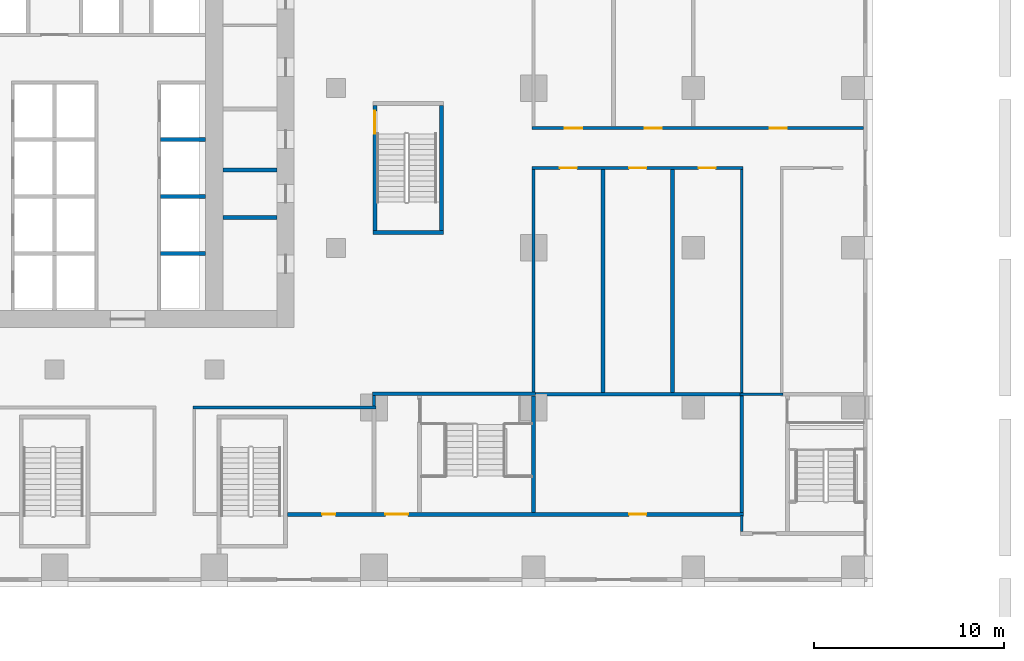
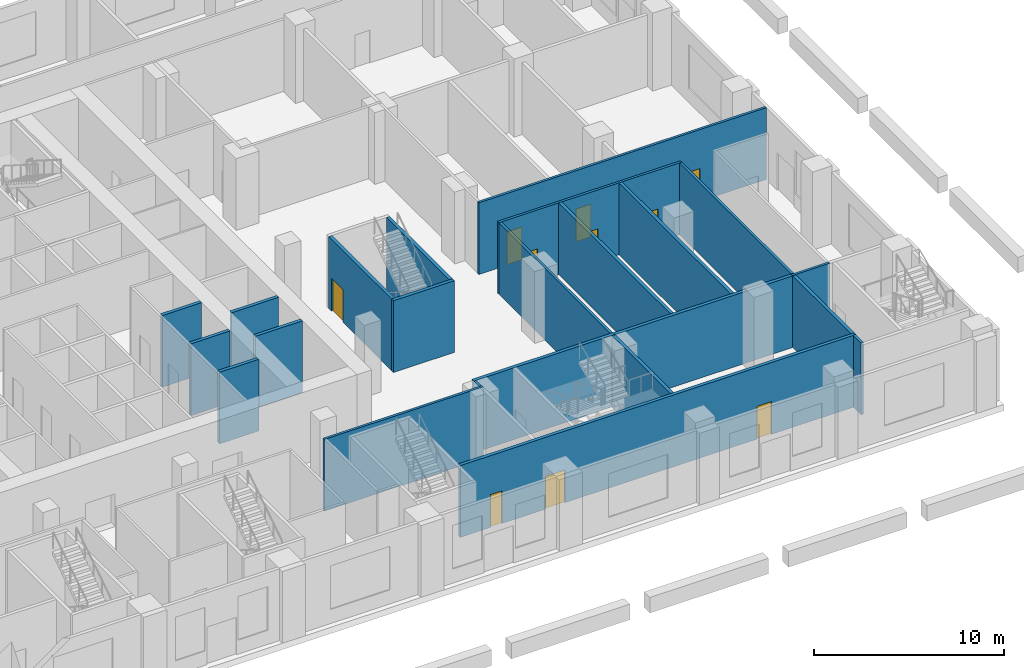
# One storey, part 5 of 21: 23 walls, 10 doors, 10 openings.
"""IFC4 building model written with IfcOpenShell, lengths in metres."""

from ifc_helpers import new_model, si_unit, direction, frame, frame_2d, origin, place, context, subcontext, project, spatial, rectangle, extrude, material, layer, layer_set, type_object, element, fill, save


model = new_model("IFC4")

# Units and contexts
model_context = context("Model", 3, precision=1e-05, world=origin(), true_north=direction((0.0, 1.0)))
body_context = subcontext(model_context, "Body", "Model", "MODEL_VIEW")
ifc_project = project(units=[si_unit("LENGTHUNIT", "METRE"), si_unit("AREAUNIT", "SQUARE_METRE"), si_unit("VOLUMEUNIT", "CUBIC_METRE"), si_unit("PLANEANGLEUNIT", "RADIAN"), si_unit("MASSUNIT", "GRAM", prefix="KILO")], contexts=[model_context])

# Site, building, storey
site_placement = place(None, origin())
site = spatial("IfcSite", under=ifc_project, at=site_placement, CompositionType="ELEMENT")
building_placement = place(site_placement, origin())
building = spatial("IfcBuilding", under=site, at=building_placement, Name="Vermilion Ogive Tower", CompositionType="ELEMENT")
storey_placement = place(building_placement, frame((0.0, 0.0, 25.0)))
storey = spatial("IfcBuildingStorey", under=building, at=storey_placement, Name="L04", CompositionType="ELEMENT", Elevation=25.0)

# Walls
ifc_material_1 = material(Name="Gypsum board partition on steel studs", Category="steel")
ifc_layer_1 = layer(ifc_material_1, 0.14990234375)
ifc_layer_set_1 = layer_set([ifc_layer_1], Name="Partition 150 corridor")
wall_type_1 = type_object("IfcWallType", Name="Partition 150 corridor", PredefinedType="PARTITIONING", material=ifc_layer_set_1)
wall_1_placement = place(storey_placement, frame((7.27490234375, -12.60009765625, 0.0), z_axis=(0.0, 0.0, 1.0), x_axis=(1.0, 0.0, 0.0)))
element("IfcWall", 1, at=wall_1_placement, inside=storey, type_object=wall_type_1, Name="L04-FS-W-W010", PredefinedType="PARTITIONING", context=body_context, shape_type="SweptSolid", body=[
    extrude(rectangle(XDim=9.625, YDim=0.14990234375, at=frame_2d((4.8125, 0.0))), origin(), (0.0, 0.0, 1.0), 4.60009765625),
])
wall_2_placement = place(storey_placement, frame((36.050048828125, -11.89990234375, 0.0), z_axis=(0.0, 0.0, 1.0), x_axis=(1.0, 0.0, 0.0)))
element("IfcWall", 2, at=wall_2_placement, inside=storey, type_object=wall_type_1, Name="L04-FS-W-W014", PredefinedType="PARTITIONING", context=body_context, shape_type="SweptSolid", body=[
    extrude(rectangle(XDim=2.27490234375, YDim=0.14990234375, at=frame_2d((1.137451171875, 0.0))), origin(), (0.0, 0.0, 1.0), 4.60009765625),
])

# Wall, openings, doors
wall_3_placement = place(storey_placement, frame((25.125, 0.0, 0.0), z_axis=(0.0, 0.0, 1.0), x_axis=(1.0, 0.0, 0.0)))
wall_3 = element("IfcWall", 3, at=wall_3_placement, inside=storey, type_object=wall_type_1, Name="L04-FS-W-W016", PredefinedType="PARTITIONING", context=body_context, shape_type="SweptSolid", body=[
    extrude(rectangle(XDim=11.10009765625, YDim=0.14990234375, at=frame_2d((5.550048828125, 0.0))), origin(), (0.0, 0.0, 1.0), 4.60009765625),
])
opening_1_placement = place(wall_3_placement, frame((1.449951171875, 0.0, 0.0)))
opening_1 = element("IfcOpeningElement", 4, at=opening_1_placement, cuts=wall_3, Name="Opening L04S021", PredefinedType="OPENING", context=body_context, shape_type="SweptSolid", body=[
    extrude(rectangle(XDim=0.89990234375, YDim=2.10009765625, at=frame_2d((0.449951171875, 1.050048828125))), frame((0.0, 0.0849609375, 0.0), z_axis=(0.0, -1.0, 0.0), x_axis=(1.0, 0.0, 0.0)), (0.0, 0.0, 1.0), 0.169921875),
])
opening_2_placement = place(wall_3_placement, frame((5.10009765625, 0.0, 0.0)))
opening_2 = element("IfcOpeningElement", 5, at=opening_2_placement, cuts=wall_3, Name="Opening L04S022", PredefinedType="OPENING", context=body_context, shape_type="SweptSolid", body=[
    extrude(rectangle(XDim=0.89990234375, YDim=2.10009765625, at=frame_2d((0.449951171875, 1.050048828125))), frame((0.0, 0.0849609375, 0.0), z_axis=(0.0, -1.0, 0.0), x_axis=(1.0, 0.0, 0.0)), (0.0, 0.0, 1.0), 0.169921875),
])
opening_3_placement = place(wall_3_placement, frame((8.75, 0.0, 0.0)))
opening_3 = element("IfcOpeningElement", 6, at=opening_3_placement, cuts=wall_3, Name="Opening L04S023", PredefinedType="OPENING", context=body_context, shape_type="SweptSolid", body=[
    extrude(rectangle(XDim=0.89990234375, YDim=2.10009765625, at=frame_2d((0.449951171875, 1.050048828125))), frame((0.0, 0.0849609375, 0.0), z_axis=(0.0, -1.0, 0.0), x_axis=(1.0, 0.0, 0.0)), (0.0, 0.0, 1.0), 0.169921875),
])
ifc_material_2 = material(Name="Timber door leaf", Category="wood")
door_type_1 = type_object("IfcDoorType", Name="Room door 900 x 2100 FD30", OperationType="SINGLE_SWING_LEFT", PredefinedType="DOOR", material=ifc_material_2)
door_1_placement = place(opening_1_placement, origin())
door_1 = element("IfcDoor", 7, at=door_1_placement, inside=storey, type_object=door_type_1, Name="L04-FS-D-D021", OperationType="SINGLE_SWING_RIGHT", OverallHeight=2.10009765625, OverallWidth=0.89990234375, PredefinedType="DOOR", context=body_context, shape_type="SweptSolid", body=[
    extrude(rectangle(XDim=0.89990234375, YDim=2.10009765625, at=frame_2d((0.449951171875, 1.050048828125))), frame((0.0, 0.02490234375, 0.0), z_axis=(0.0, -1.0, 0.0), x_axis=(1.0, 0.0, 0.0)), (0.0, 0.0, 1.0), 0.050048828125),
])
fill(opening_1, door_1)
door_2_placement = place(opening_2_placement, origin())
door_2 = element("IfcDoor", 8, at=door_2_placement, inside=storey, type_object=door_type_1, Name="L04-FS-D-D022", OperationType="SINGLE_SWING_LEFT", OverallHeight=2.10009765625, OverallWidth=0.89990234375, PredefinedType="DOOR", context=body_context, shape_type="SweptSolid", body=[
    extrude(rectangle(XDim=0.89990234375, YDim=2.10009765625, at=frame_2d((0.449951171875, 1.050048828125))), frame((0.0, 0.02490234375, 0.0), z_axis=(0.0, -1.0, 0.0), x_axis=(1.0, 0.0, 0.0)), (0.0, 0.0, 1.0), 0.050048828125),
])
fill(opening_2, door_2)
door_3_placement = place(opening_3_placement, origin())
door_3 = element("IfcDoor", 9, at=door_3_placement, inside=storey, type_object=door_type_1, Name="L04-FS-D-D023", OperationType="SINGLE_SWING_LEFT", OverallHeight=2.10009765625, OverallWidth=0.89990234375, PredefinedType="DOOR", context=body_context, shape_type="SweptSolid", body=[
    extrude(rectangle(XDim=0.89990234375, YDim=2.10009765625, at=frame_2d((0.449951171875, 1.050048828125))), frame((0.0, 0.02490234375, 0.0), z_axis=(0.0, -1.0, 0.0), x_axis=(1.0, 0.0, 0.0)), (0.0, 0.0, 1.0), 0.050048828125),
])
fill(opening_3, door_3)

wall_4_placement = place(storey_placement, frame((25.125, 2.10009765625, 0.0), z_axis=(0.0, 0.0, 1.0), x_axis=(1.0, 0.0, 0.0)))
wall_4 = element("IfcWall", 10, at=wall_4_placement, inside=storey, type_object=wall_type_1, Name="L04-FS-W-W018", PredefinedType="PARTITIONING", context=body_context, shape_type="SweptSolid", body=[
    extrude(rectangle(XDim=17.425048828125, YDim=0.14990234375, at=frame_2d((8.71240234375, 0.0))), origin(), (0.0, 0.0, 1.0), 4.60009765625),
])
opening_4_placement = place(wall_4_placement, frame((1.72509765625, 0.0, 0.0)))
opening_4 = element("IfcOpeningElement", 11, at=opening_4_placement, cuts=wall_4, Name="Opening L04S025", PredefinedType="OPENING", context=body_context, shape_type="SweptSolid", body=[
    extrude(rectangle(XDim=0.89990234375, YDim=2.10009765625, at=frame_2d((0.449951171875, 1.050048828125))), frame((0.0, 0.0849609375, 0.0), z_axis=(0.0, -1.0, 0.0), x_axis=(1.0, 0.0, 0.0)), (0.0, 0.0, 1.0), 0.169921875),
])
opening_5_placement = place(wall_4_placement, frame((5.925048828125, 0.0, 0.0)))
opening_5 = element("IfcOpeningElement", 12, at=opening_5_placement, cuts=wall_4, Name="Opening L04S026", PredefinedType="OPENING", context=body_context, shape_type="SweptSolid", body=[
    extrude(rectangle(XDim=0.89990234375, YDim=2.10009765625, at=frame_2d((0.449951171875, 1.050048828125))), frame((0.0, 0.0849609375, 0.0), z_axis=(0.0, -1.0, 0.0), x_axis=(1.0, 0.0, 0.0)), (0.0, 0.0, 1.0), 0.169921875),
])
opening_6_placement = place(wall_4_placement, frame((12.5, 0.0, 0.0)))
opening_6 = element("IfcOpeningElement", 13, at=opening_6_placement, cuts=wall_4, Name="Opening L04S027", PredefinedType="OPENING", context=body_context, shape_type="SweptSolid", body=[
    extrude(rectangle(XDim=0.89990234375, YDim=2.10009765625, at=frame_2d((0.449951171875, 1.050048828125))), frame((0.0, 0.0849609375, 0.0), z_axis=(0.0, -1.0, 0.0), x_axis=(1.0, 0.0, 0.0)), (0.0, 0.0, 1.0), 0.169921875),
])
door_4_placement = place(opening_4_placement, origin())
door_4 = element("IfcDoor", 14, at=door_4_placement, inside=storey, type_object=door_type_1, Name="L04-FS-D-D025", OperationType="SINGLE_SWING_RIGHT", OverallHeight=2.10009765625, OverallWidth=0.89990234375, PredefinedType="DOOR", context=body_context, shape_type="SweptSolid", body=[
    extrude(rectangle(XDim=0.89990234375, YDim=2.10009765625, at=frame_2d((0.449951171875, 1.050048828125))), frame((0.0, 0.02490234375, 0.0), z_axis=(0.0, -1.0, 0.0), x_axis=(1.0, 0.0, 0.0)), (0.0, 0.0, 1.0), 0.050048828125),
])
fill(opening_4, door_4)
door_5_placement = place(opening_5_placement, origin())
door_5 = element("IfcDoor", 15, at=door_5_placement, inside=storey, type_object=door_type_1, Name="L04-FS-D-D026", OperationType="SINGLE_SWING_RIGHT", OverallHeight=2.10009765625, OverallWidth=0.89990234375, PredefinedType="DOOR", context=body_context, shape_type="SweptSolid", body=[
    extrude(rectangle(XDim=0.89990234375, YDim=2.10009765625, at=frame_2d((0.449951171875, 1.050048828125))), frame((0.0, 0.02490234375, 0.0), z_axis=(0.0, -1.0, 0.0), x_axis=(1.0, 0.0, 0.0)), (0.0, 0.0, 1.0), 0.050048828125),
])
fill(opening_5, door_5)
door_6_placement = place(opening_6_placement, origin())
door_6 = element("IfcDoor", 16, at=door_6_placement, inside=storey, type_object=door_type_1, Name="L04-FS-D-D027", OperationType="SINGLE_SWING_LEFT", OverallHeight=2.10009765625, OverallWidth=0.89990234375, PredefinedType="DOOR", context=body_context, shape_type="SweptSolid", body=[
    extrude(rectangle(XDim=0.89990234375, YDim=2.10009765625, at=frame_2d((0.449951171875, 1.050048828125))), frame((0.0, 0.02490234375, 0.0), z_axis=(0.0, -1.0, 0.0), x_axis=(1.0, 0.0, 0.0)), (0.0, 0.0, 1.0), 0.050048828125),
])
fill(opening_6, door_6)

# Walls
wall_5_placement = place(storey_placement, frame((16.800048828125, -12.52490234375, 0.0), z_axis=(0.0, 0.0, 1.0), x_axis=(0.0, 1.0, 0.0)))
element("IfcWall", 17, at=wall_5_placement, inside=storey, type_object=wall_type_1, Name="L04-FS-W-W050", PredefinedType="PARTITIONING", context=body_context, shape_type="SweptSolid", body=[
    extrude(rectangle(XDim=0.5498046875, YDim=0.14990234375, at=frame_2d((0.27490234375, 0.0))), origin(), (0.0, 0.0, 1.0), 4.60009765625),
])
wall_6_placement = place(storey_placement, frame((25.199951171875, -11.800048828125, 0.0), z_axis=(0.0, 0.0, 1.0), x_axis=(0.0, 1.0, 0.0)))
element("IfcWall", 18, at=wall_6_placement, inside=storey, type_object=wall_type_1, Name="L04-FS-W-W056", PredefinedType="PARTITIONING", context=body_context, shape_type="SweptSolid", body=[
    extrude(rectangle(XDim=11.72509765625, YDim=0.14990234375, at=frame_2d((5.862548828125, 0.0))), origin(), (0.0, 0.0, 1.0), 4.60009765625),
])
wall_7_placement = place(storey_placement, frame((36.14990234375, -19.125, 0.0), z_axis=(0.0, 0.0, 1.0), x_axis=(0.0, 1.0, 0.0)))
element("IfcWall", 19, at=wall_7_placement, inside=storey, type_object=wall_type_1, Name="L04-FS-W-W064", PredefinedType="PARTITIONING", context=body_context, shape_type="SweptSolid", body=[
    extrude(rectangle(XDim=0.85009765625, YDim=0.14990234375, at=frame_2d((0.425048828125, 0.0))), origin(), (0.0, 0.0, 1.0), 4.60009765625),
])
wall_8_placement = place(storey_placement, frame((36.14990234375, -11.800048828125, 0.0), z_axis=(0.0, 0.0, 1.0), x_axis=(0.0, 1.0, 0.0)))
element("IfcWall", 20, at=wall_8_placement, inside=storey, type_object=wall_type_1, Name="L04-FS-W-W066", PredefinedType="PARTITIONING", context=body_context, shape_type="SweptSolid", body=[
    extrude(rectangle(XDim=11.72509765625, YDim=0.14990234375, at=frame_2d((5.862548828125, 0.0))), origin(), (0.0, 0.0, 1.0), 4.60009765625),
])
ifc_material_3 = material(Name="Gypsum board partition on steel studs", Category="steel")
ifc_layer_2 = layer(ifc_material_3, 0.199951171875)
ifc_layer_set_2 = layer_set([ifc_layer_2], Name="Partition 200 party")
wall_type_2 = type_object("IfcWallType", Name="Partition 200 party", PredefinedType="PARTITIONING", material=ifc_layer_set_2)
wall_9_placement = place(storey_placement, frame((25.10009765625, -11.89990234375, 0.0), z_axis=(0.0, 0.0, 1.0), x_axis=(1.0, 0.0, 0.0)))
element("IfcWall", 21, at=wall_9_placement, inside=storey, type_object=wall_type_2, Name="L04-FS-W-W013", PredefinedType="PARTITIONING", context=body_context, shape_type="SweptSolid", body=[
    extrude(rectangle(XDim=11.14990234375, YDim=0.199951171875, at=frame_2d((5.574951171875, 0.0))), origin(), (0.0, 0.0, 1.0), 4.60009765625),
])
for number, where, z_axis, x_axis, name in (
    (22, (28.85009765625, -11.800048828125, 0.0), (0.0, 0.0, 1.0), (0.0, 1.0, 0.0), "L04-FS-W-W059"),
    (23, (32.5, -11.800048828125, 0.0), (0.0, 0.0, 1.0), (0.0, 1.0, 0.0), "L04-FS-W-W061"),
):
    element("IfcWall", number, at=place(storey_placement, frame(where, z_axis=z_axis, x_axis=x_axis)), inside=storey, type_object=wall_type_2, Name=name, PredefinedType="PARTITIONING", context=body_context, shape_type="SweptSolid", body=[
        extrude(rectangle(XDim=11.72509765625, YDim=0.199951171875, at=frame_2d((5.862548828125, 0.0))), origin(), (0.0, 0.0, 1.0), 4.60009765625),
    ])
wall_10_placement = place(storey_placement, frame((36.14990234375, -18.125, 0.0), z_axis=(0.0, 0.0, 1.0), x_axis=(0.0, 1.0, 0.0)))
element("IfcWall", 24, at=wall_10_placement, inside=storey, type_object=wall_type_2, Name="L04-FS-W-W065", PredefinedType="PARTITIONING", context=body_context, shape_type="SweptSolid", body=[
    extrude(rectangle(XDim=6.125, YDim=0.199951171875, at=frame_2d((3.0625, 0.0))), origin(), (0.0, 0.0, 1.0), 4.60009765625),
])
for number, where, z_axis, x_axis, name in (
    (25, (5.574951171875, -4.5, 0.0), (0.0, 0.0, 1.0), (1.0, 0.0, 0.0), "L04-CK-W-W003"),
    (26, (5.574951171875, -1.5, 0.0), (0.0, 0.0, 1.0), (1.0, 0.0, 0.0), "L04-CK-W-W006"),
    (27, (5.574951171875, 1.5, 0.0), (0.0, 0.0, 1.0), (1.0, 0.0, 0.0), "L04-CK-W-W009"),
):
    element("IfcWall", number, at=place(storey_placement, frame(where, z_axis=z_axis, x_axis=x_axis)), inside=storey, type_object=wall_type_2, Name=name, PredefinedType="PARTITIONING", context=body_context, shape_type="SweptSolid", body=[
        extrude(rectangle(XDim=2.3740234375, YDim=0.199951171875, at=frame_2d((1.18701171875, 0.0))), origin(), (0.0, 0.0, 1.0), 4.60009765625),
    ])
for number, where, z_axis, x_axis, name in (
    (28, (8.85107421875, -2.60009765625, 0.0), (0.0, 0.0, 1.0), (1.0, 0.0, 0.0), "L04-CKE-W-W001"),
    (29, (8.85107421875, -0.10009765625, 0.0), (0.0, 0.0, 1.0), (1.0, 0.0, 0.0), "L04-CKE-W-W002"),
):
    element("IfcWall", number, at=place(storey_placement, frame(where, z_axis=z_axis, x_axis=x_axis)), inside=storey, type_object=wall_type_2, Name=name, PredefinedType="PARTITIONING", context=body_context, shape_type="SweptSolid", body=[
        extrude(rectangle(XDim=2.847900390625, YDim=0.199951171875, at=frame_2d((1.423828125, 0.0))), origin(), (0.0, 0.0, 1.0), 4.60009765625),
    ])

# Wall, openings, doors
ifc_material_4 = material(Name="Concrete B60", Category="concrete")
ifc_layer_3 = layer(ifc_material_4, 0.199951171875)
ifc_layer_set_3 = layer_set([ifc_layer_3], Name="Stair shaft wall 200 Concrete B60")
wall_type_3 = type_object("IfcWallType", Name="Stair shaft wall 200 Concrete B60", PredefinedType="SOLIDWALL", material=ifc_layer_set_3)
wall_11_placement = place(storey_placement, frame((12.25, -18.224853515625, 0.0), z_axis=(0.0, 0.0, 1.0), x_axis=(1.0, 0.0, 0.0)))
wall_11 = element("IfcWall", 30, at=wall_11_placement, inside=storey, type_object=wall_type_3, Name="L04-FS-W-W007", PredefinedType="SOLIDWALL", context=body_context, shape_type="SweptSolid", body=[
    extrude(rectangle(XDim=24.0, YDim=0.199951171875, at=frame_2d((12.0, 0.0))), origin(), (0.0, 0.0, 1.0), 4.60009765625),
])
opening_7_placement = place(wall_11_placement, frame((5.14990234375, 0.0, 0.0)))
opening_7 = element("IfcOpeningElement", 31, at=opening_7_placement, cuts=wall_11, Name="Opening L04S009", PredefinedType="OPENING", context=body_context, shape_type="SweptSolid", body=[
    extrude(rectangle(XDim=1.199951171875, YDim=2.10009765625, at=frame_2d((0.60009765625, 1.050048828125))), frame((0.0, 0.10986328125, 0.0), z_axis=(0.0, -1.0, 0.0), x_axis=(1.0, 0.0, 0.0)), (0.0, 0.0, 1.0), 0.219970703125),
])
opening_8_placement = place(wall_11_placement, frame((17.97509765625, 0.0, 0.0)))
opening_8 = element("IfcOpeningElement", 32, at=opening_8_placement, cuts=wall_11, Name="Opening L04S032", PredefinedType="OPENING", context=body_context, shape_type="SweptSolid", body=[
    extrude(rectangle(XDim=0.89990234375, YDim=2.10009765625, at=frame_2d((0.449951171875, 1.050048828125))), frame((0.0, 0.10986328125, 0.0), z_axis=(0.0, -1.0, 0.0), x_axis=(1.0, 0.0, 0.0)), (0.0, 0.0, 1.0), 0.219970703125),
])
opening_9_placement = place(wall_11_placement, frame((1.824951171875, 0.0, 0.0)))
opening_9 = element("IfcOpeningElement", 33, at=opening_9_placement, cuts=wall_11, Name="Opening L04S038", PredefinedType="OPENING", context=body_context, shape_type="SweptSolid", body=[
    extrude(rectangle(XDim=0.699951171875, YDim=2.10009765625, at=frame_2d((0.35009765625, 1.050048828125))), frame((0.0, 0.10986328125, 0.0), z_axis=(0.0, -1.0, 0.0), x_axis=(1.0, 0.0, 0.0)), (0.0, 0.0, 1.0), 0.219970703125),
])
ifc_material_5 = material(Name="Timber door leaf", Category="wood")
door_type_2 = type_object("IfcDoorType", Name="Room door 700 x 2100 FD30", OperationType="SINGLE_SWING_LEFT", PredefinedType="DOOR", material=ifc_material_5)
door_7_placement = place(opening_9_placement, origin())
door_7 = element("IfcDoor", 34, at=door_7_placement, inside=storey, type_object=door_type_2, Name="L04-FS-D-D038", OperationType="SINGLE_SWING_LEFT", OverallHeight=2.10009765625, OverallWidth=0.699951171875, PredefinedType="DOOR", context=body_context, shape_type="SweptSolid", body=[
    extrude(rectangle(XDim=0.699951171875, YDim=2.10009765625, at=frame_2d((0.35009765625, 1.050048828125))), frame((0.0, 0.02490234375, 0.0), z_axis=(0.0, -1.0, 0.0), x_axis=(1.0, 0.0, 0.0)), (0.0, 0.0, 1.0), 0.050048828125),
])
fill(opening_9, door_7)
door_8_placement = place(opening_8_placement, origin())
door_8 = element("IfcDoor", 35, at=door_8_placement, inside=storey, type_object=door_type_1, Name="L04-FS-D-D032", OperationType="SINGLE_SWING_LEFT", OverallHeight=2.10009765625, OverallWidth=0.89990234375, PredefinedType="DOOR", context=body_context, shape_type="SweptSolid", body=[
    extrude(rectangle(XDim=0.89990234375, YDim=2.10009765625, at=frame_2d((0.449951171875, 1.050048828125))), frame((0.0, 0.02490234375, 0.0), z_axis=(0.0, -1.0, 0.0), x_axis=(1.0, 0.0, 0.0)), (0.0, 0.0, 1.0), 0.050048828125),
])
fill(opening_8, door_8)
ifc_material_6 = material(Name="Timber door leaf", Category="wood")
door_type_3 = type_object("IfcDoorType", Name="Stair door 1200 x 2100 FD60S", OperationType="SINGLE_SWING_LEFT", PredefinedType="DOOR", material=ifc_material_6)
door_9_placement = place(opening_7_placement, origin())
door_9 = element("IfcDoor", 36, at=door_9_placement, inside=storey, type_object=door_type_3, Name="L04-FS-D-D009", OperationType="SINGLE_SWING_LEFT", OverallHeight=2.10009765625, OverallWidth=1.199951171875, PredefinedType="DOOR", context=body_context, shape_type="SweptSolid", body=[
    extrude(rectangle(XDim=1.199951171875, YDim=2.10009765625, at=frame_2d((0.60009765625, 1.050048828125))), frame((0.0, 0.02490234375, 0.0), z_axis=(0.0, -1.0, 0.0), x_axis=(1.0, 0.0, 0.0)), (0.0, 0.0, 1.0), 0.050048828125),
])
fill(opening_7, door_9)

# Walls
wall_12_placement = place(storey_placement, frame((16.72509765625, -11.875, 0.0), z_axis=(0.0, 0.0, 1.0), x_axis=(1.0, 0.0, 0.0)))
element("IfcWall", 37, at=wall_12_placement, inside=storey, type_object=wall_type_3, Name="L04-FS-W-W012", PredefinedType="SOLIDWALL", context=body_context, shape_type="SweptSolid", body=[
    extrude(rectangle(XDim=8.574951171875, YDim=0.199951171875, at=frame_2d((4.28759765625, 0.0))), origin(), (0.0, 0.0, 1.0), 4.60009765625),
])
wall_13_placement = place(storey_placement, frame((25.199951171875, -18.125, 0.0), z_axis=(0.0, 0.0, 1.0), x_axis=(0.0, 1.0, 0.0)))
element("IfcWall", 38, at=wall_13_placement, inside=storey, type_object=wall_type_3, Name="L04-FS-W-W055", PredefinedType="SOLIDWALL", context=body_context, shape_type="SweptSolid", body=[
    extrude(rectangle(XDim=6.125, YDim=0.199951171875, at=frame_2d((3.0625, 0.0))), origin(), (0.0, 0.0, 1.0), 4.60009765625),
])
wall_14_placement = place(storey_placement, frame((16.75, -3.39990234375, 0.0), z_axis=(0.0, 0.0, 1.0), x_axis=(1.0, 0.0, 0.0)))
element("IfcWall", 39, at=wall_14_placement, inside=storey, type_object=wall_type_3, Name="L04-SW-ST8-S1", PredefinedType="SOLIDWALL", context=body_context, shape_type="SweptSolid", body=[
    extrude(rectangle(XDim=3.699951171875, YDim=0.199951171875, at=frame_2d((1.85009765625, 0.0))), origin(), (0.0, 0.0, 1.0), 4.60009765625),
])

# Wall, opening, door
wall_15_placement = place(storey_placement, frame((16.85009765625, -3.300048828125, 0.0), z_axis=(0.0, 0.0, 1.0), x_axis=(0.0, 1.0, 0.0)))
wall_15 = element("IfcWall", 40, at=wall_15_placement, inside=storey, type_object=wall_type_3, Name="L04-SW-ST8-W1", PredefinedType="SOLIDWALL", context=body_context, shape_type="SweptSolid", body=[
    extrude(rectangle(XDim=6.60009765625, YDim=0.199951171875, at=frame_2d((3.300048828125, 0.0))), origin(), (0.0, 0.0, 1.0), 4.60009765625),
])
opening_10_placement = place(wall_15_placement, frame((5.10009765625, 0.0, 0.0)))
opening_10 = element("IfcOpeningElement", 41, at=opening_10_placement, cuts=wall_15, Name="Opening DBF004", PredefinedType="OPENING", context=body_context, shape_type="SweptSolid", body=[
    extrude(rectangle(XDim=1.199951171875, YDim=2.10009765625, at=frame_2d((0.60009765625, 1.050048828125))), frame((0.0, 0.10986328125, 0.0), z_axis=(0.0, -1.0, 0.0), x_axis=(1.0, 0.0, 0.0)), (0.0, 0.0, 1.0), 0.219970703125),
])
door_10_placement = place(opening_10_placement, origin())
door_10 = element("IfcDoor", 42, at=door_10_placement, inside=storey, type_object=door_type_3, Name="L04-SD-ST8", OperationType="SINGLE_SWING_LEFT", OverallHeight=2.10009765625, OverallWidth=1.199951171875, PredefinedType="DOOR", context=body_context, shape_type="SweptSolid", body=[
    extrude(rectangle(XDim=1.199951171875, YDim=2.10009765625, at=frame_2d((0.60009765625, 1.050048828125))), frame((0.0, 0.02490234375, 0.0), z_axis=(0.0, -1.0, 0.0), x_axis=(1.0, 0.0, 0.0)), (0.0, 0.0, 1.0), 0.050048828125),
])
fill(opening_10, door_10)

# Wall
wall_16_placement = place(storey_placement, frame((20.35009765625, -3.300048828125, 0.0), z_axis=(0.0, 0.0, 1.0), x_axis=(0.0, 1.0, 0.0)))
element("IfcWall", 43, at=wall_16_placement, inside=storey, type_object=wall_type_3, Name="L04-SW-ST8-E1-A", PredefinedType="SOLIDWALL", context=body_context, shape_type="SweptSolid", body=[
    extrude(rectangle(XDim=6.60009765625, YDim=0.199951171875, at=frame_2d((3.300048828125, 0.0))), origin(), (0.0, 0.0, 1.0), 4.60009765625),
])

save(model, "model.ifc")
